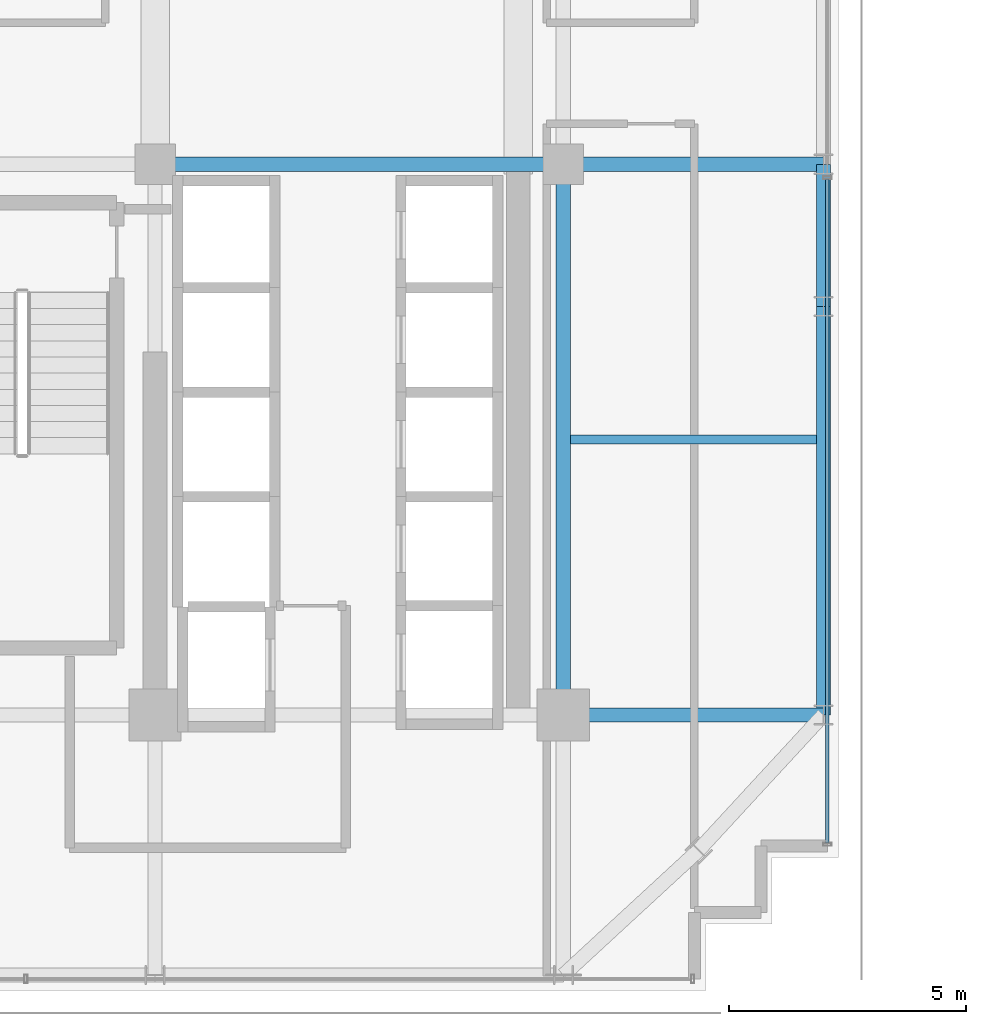
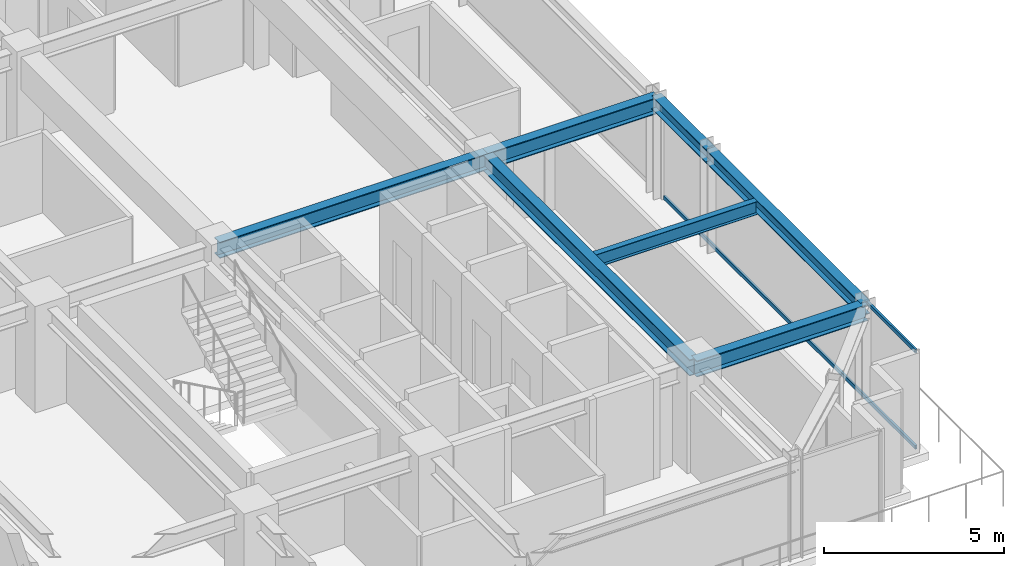
# One storey, part 10 of 33: 7 beams, 2 members, 1 element without a shape of its own.
"""IFC4 building model written with IfcOpenShell, lengths in metres."""

from ifc_helpers import new_model, si_unit, direction, frame, origin, origin_2d, place, context, subcontext, project, spatial, hollow_rectangle, i_section, extrude, source, transform, mapped, material, material_profile, profile_set, type_object, element, aggregate, save


model = new_model("IFC4")

# Units and contexts
model_context = context("Model", 3, precision=1e-05, world=origin(), true_north=direction((0.0, 1.0)))
body_context = subcontext(model_context, "Body", "Model", "MODEL_VIEW")
ifc_project = project(units=[si_unit("LENGTHUNIT", "METRE"), si_unit("AREAUNIT", "SQUARE_METRE"), si_unit("VOLUMEUNIT", "CUBIC_METRE"), si_unit("PLANEANGLEUNIT", "RADIAN"), si_unit("MASSUNIT", "GRAM", prefix="KILO")], contexts=[model_context])

# Site, building, storey
site_placement = place(None, origin())
site = spatial("IfcSite", under=ifc_project, at=site_placement, CompositionType="ELEMENT")
building_placement = place(site_placement, origin())
building = spatial("IfcBuilding", under=site, at=building_placement, Name="Nahalor Promenade Grand Hotel", CompositionType="ELEMENT")
storey_placement = place(building_placement, frame((0.0, 0.0, 149.0)))
storey = spatial("IfcBuildingStorey", under=building, at=storey_placement, Name="L37", CompositionType="ELEMENT", Elevation=149.0)

# Beams
ifc_material_1 = material(Name="Steel S355JR", Category="steel")
ifc_material_profile_1 = material_profile(ifc_material_1, i_section(OverallWidth=0.3, OverallDepth=0.55, WebThickness=0.015, FlangeThickness=0.029, at=origin_2d()), Name="HEB 550")
ifc_profile_set_1 = profile_set([ifc_material_profile_1], Name="Steel S355JR")
beam_type_1 = type_object("IfcBeamType", Name="Beam-Girder-HEB550", PredefinedType="BEAM", material=ifc_profile_set_1)
shared_shape_1 = source(origin(), body_context, "Body", "SweptSolid", [
    extrude(i_section(OverallWidth=0.3, OverallDepth=0.55, WebThickness=0.015, FlangeThickness=0.029, at=origin_2d()), origin(), (0.0, 0.0, 1.0), 8.60009765625),
])
beam_1_placement = place(storey_placement, frame((8.39990234375, -5.39990234375, 3.114990234375), z_axis=(1.0, 0.0, 0.0), x_axis=(0.0, 1.0, 0.0)))
element("IfcBeam", 1, at=beam_1_placement, inside=storey, type_object=beam_type_1, Name="BM-L37-GX-1-5", PredefinedType="BEAM", context=body_context, shape_type="MappedRepresentation", body=[
    mapped(shared_shape_1, transform((0.0, 0.0, 0.0), scale=1.0)),
])
shared_shape_2 = source(origin(), body_context, "Body", "SweptSolid", [
    extrude(i_section(OverallWidth=0.3, OverallDepth=0.55, WebThickness=0.015, FlangeThickness=0.029, at=origin_2d()), origin(), (0.0, 0.0, 1.0), 11.60009765625),
])
beam_2_placement = place(storey_placement, frame((17.0, -17.0, 3.114990234375), z_axis=(0.0, 1.0, 0.0), x_axis=(-1.0, 0.0, 0.0)))
element("IfcBeam", 2, at=beam_2_placement, inside=storey, type_object=beam_type_1, Name="BM-L37-GY-5-1", PredefinedType="BEAM", context=body_context, shape_type="MappedRepresentation", body=[
    mapped(shared_shape_2, transform((0.0, 0.0, 0.0), scale=1.0)),
])
shared_shape_3 = source(origin(), body_context, "Body", "SweptSolid", [
    extrude(i_section(OverallWidth=0.3, OverallDepth=0.55, WebThickness=0.015, FlangeThickness=0.029, at=origin_2d()), origin(), (0.0, 0.0, 1.0), 5.47998046875),
])
for number, where, z_axis, x_axis, name in (
    (3, (17.0, -17.0, 3.114990234375), (1.0, 0.0, 0.0), (0.0, 1.0, 0.0), "BM-L37-GX-0-6"),
    (4, (17.0, -5.39990234375, 3.114990234375), (1.0, 0.0, 0.0), (0.0, 1.0, 0.0), "BM-L37-GX-1-6"),
):
    element("IfcBeam", number, at=place(storey_placement, frame(where, z_axis=z_axis, x_axis=x_axis)), inside=storey, type_object=beam_type_1, Name=name, PredefinedType="BEAM", context=body_context, shape_type="MappedRepresentation", body=[
        mapped(shared_shape_3, transform((0.0, 0.0, 0.0), scale=1.0)),
    ])
ifc_material_profile_2 = material_profile(ifc_material_1, i_section(OverallWidth=0.19, OverallDepth=0.45, WebThickness=0.0094, FlangeThickness=0.0146, at=origin_2d()), Name="IPE 450")
ifc_profile_set_2 = profile_set([ifc_material_profile_2], Name="Steel S355JR")
beam_type_2 = type_object("IfcBeamType", Name="Beam-Joist-IPE450", PredefinedType="JOIST", material=ifc_profile_set_2)
shared_shape_4 = source(origin(), body_context, "Body", "SweptSolid", [
    extrude(i_section(OverallWidth=0.19, OverallDepth=0.45, WebThickness=0.0094, FlangeThickness=0.0146, at=origin_2d()), origin(), (0.0, 0.0, 1.0), 5.18017578125),
])
beam_3_placement = place(storey_placement, frame((17.14990234375, -11.199951171875, 3.1650390625), z_axis=(1.0, 0.0, 0.0), x_axis=(0.0, 1.0, 0.0)))
element("IfcBeam", 5, at=beam_3_placement, inside=storey, type_object=beam_type_2, Name="BM-L37-JSE-0-2", PredefinedType="JOIST", context=body_context, shape_type="MappedRepresentation", body=[
    mapped(shared_shape_4, transform((0.0, 0.0, 0.0), scale=1.0)),
])
ifc_material_profile_3 = material_profile(ifc_material_1, i_section(OverallWidth=0.3, OverallDepth=0.45, WebThickness=0.014, FlangeThickness=0.026, at=origin_2d()), Name="HEB 450")
ifc_profile_set_3 = profile_set([ifc_material_profile_3], Name="Steel S355JR")
beam_type_3 = type_object("IfcBeamType", Name="Beam-Spandrel-HEB450", PredefinedType="SPANDREL", material=ifc_profile_set_3)
shared_shape_5 = source(origin(), body_context, "Body", "SweptSolid", [
    extrude(i_section(OverallWidth=0.3, OverallDepth=0.45, WebThickness=0.014, FlangeThickness=0.026, at=origin_2d()), origin(), (0.0, 0.0, 1.0), 8.60009765625),
])
beam_4_placement = place(storey_placement, frame((22.47998046875, -17.0, 3.1650390625), z_axis=(0.0, 1.0, 0.0), x_axis=(-1.0, 0.0, 0.0)))
element("IfcBeam", 6, at=beam_4_placement, inside=storey, type_object=beam_type_3, Name="BM-L37-SP-E-0", PredefinedType="SPANDREL", context=body_context, shape_type="MappedRepresentation", body=[
    mapped(shared_shape_5, transform((0.0, 0.0, 0.0), scale=1.0)),
])
shared_shape_6 = source(origin(), body_context, "Body", "SweptSolid", [
    extrude(i_section(OverallWidth=0.3, OverallDepth=0.45, WebThickness=0.014, FlangeThickness=0.026, at=origin_2d()), origin(), (0.0, 0.0, 1.0), 3.0),
])
beam_5_placement = place(storey_placement, frame((22.47998046875, -8.39990234375, 3.1650390625), z_axis=(0.0, 1.0, 0.0), x_axis=(-1.0, 0.0, 0.0)))
element("IfcBeam", 7, at=beam_5_placement, inside=storey, type_object=beam_type_3, Name="BM-L37-SP-E-1", PredefinedType="SPANDREL", context=body_context, shape_type="MappedRepresentation", body=[
    mapped(shared_shape_6, transform((0.0, 0.0, 0.0), scale=1.0)),
])

# Curtain wall, members
ifc_material_2 = material(Name="Anodised Bronze Aluminium EN AW-6063 T6", Category="aluminium")
curtain_wall_type = type_object("IfcCurtainWallType", Name="CW2 Typical Hotel Flush Bronze Unitised Curtain Wall", PredefinedType="USERDEFINED", material=ifc_material_2)
curtain_wall_placement = place(storey_placement, origin())
curtain_wall = element("IfcCurtainWall", 8, at=curtain_wall_placement, inside=storey, type_object=curtain_wall_type, Name="L37 Curtain Wall CW-L37-E-1", ObjectType="UNITISED_CURTAIN_WALL", PredefinedType="USERDEFINED")
ifc_material_profile_4 = material_profile(ifc_material_2, hollow_rectangle(XDim=0.065, YDim=0.13, WallThickness=0.004, at=origin_2d()), Name="CWT 65x130x4")
ifc_profile_set_4 = profile_set([ifc_material_profile_4], Name="Anodised Bronze Aluminium EN AW-6063 T6")
member_type = type_object("IfcMemberType", Name="CWT2 Typical Bronze Transom 65x130", PredefinedType="USERDEFINED", material=ifc_profile_set_4)
shared_shape_7 = source(origin(), body_context, "Body", "SweptSolid", [
    extrude(hollow_rectangle(XDim=0.065, YDim=0.13, WallThickness=0.004, at=origin_2d()), origin(), (0.0, 0.0, 1.0), 13.982666015625),
])
member_1_placement = place(storey_placement, frame((22.56005859375, -19.695068359375, 0.06494140625), z_axis=(0.0, 1.0, 0.0), x_axis=(-1.0, 0.0, 0.0)))
member_1 = element("IfcMember", 9, at=member_1_placement, type_object=member_type, Name="CW-L37-E-1 Transom 0-0", ObjectType="TRANSOM", PredefinedType="USERDEFINED", context=body_context, shape_type="MappedRepresentation", body=[
    mapped(shared_shape_7, transform((0.0, 0.0, 0.0), scale=1.0)),
])
member_2_placement = place(storey_placement, frame((22.56005859375, -19.695068359375, 3.324951171875), z_axis=(0.0, 1.0, 0.0), x_axis=(-1.0, 0.0, 0.0)))
member_2 = element("IfcMember", 10, at=member_2_placement, type_object=member_type, Name="CW-L37-E-1 Transom 0-1", ObjectType="TRANSOM", PredefinedType="USERDEFINED", context=body_context, shape_type="MappedRepresentation", body=[
    mapped(shared_shape_7, transform((0.0, 0.0, 0.0), scale=1.0)),
])
aggregate(curtain_wall, [member_1, member_2])

save(model, "model.ifc")
